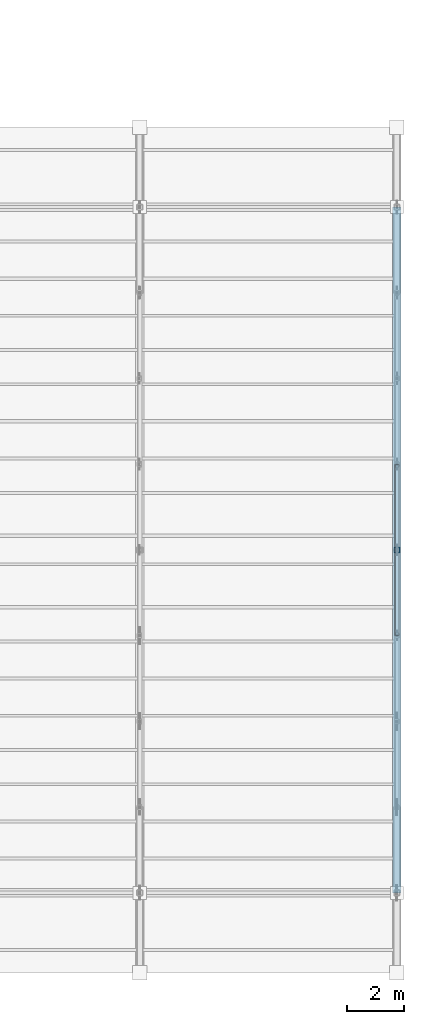
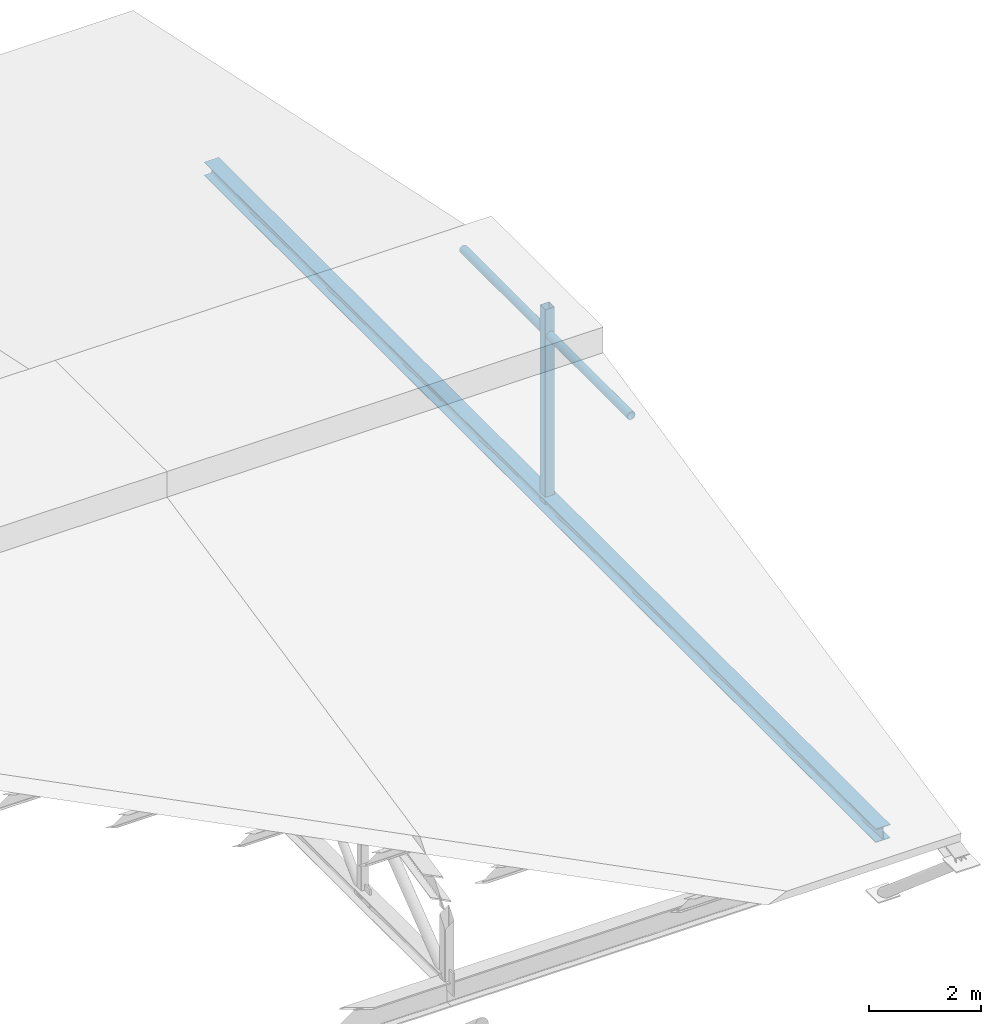
# One storey, part 28 of 43: 3 members.
"""IFC4 building model written with IfcOpenShell, lengths in metres."""

from ifc_helpers import new_model, si_unit, direction, frame, origin, origin_2d, place, context, subcontext, project, spatial, hollow_rectangle, hollow_circle, i_section, extrude, material, material_profile, profile_set, type_object, element, save


model = new_model("IFC4")

# Units and contexts
model_context = context("Model", 3, precision=1e-05, world=origin(), true_north=direction((0.0, 1.0)))
body_context = subcontext(model_context, "Body", "Model", "MODEL_VIEW")
ifc_project = project(units=[si_unit("LENGTHUNIT", "METRE"), si_unit("AREAUNIT", "SQUARE_METRE"), si_unit("VOLUMEUNIT", "CUBIC_METRE"), si_unit("PLANEANGLEUNIT", "RADIAN"), si_unit("MASSUNIT", "GRAM", prefix="KILO")], contexts=[model_context])

# Site, building, storey
site_placement = place(None, origin())
site = spatial("IfcSite", under=ifc_project, at=site_placement, CompositionType="ELEMENT")
building_placement = place(site_placement, origin())
building = spatial("IfcBuilding", under=site, at=building_placement, Name="Serraforn Aerial Cableway Station", CompositionType="ELEMENT")
storey_placement = place(building_placement, frame((0.0, 0.0, 18.300048828125)))
storey = spatial("IfcBuildingStorey", under=building, at=storey_placement, Name="RF", CompositionType="ELEMENT", Elevation=18.300048828125)

# Members
ifc_material = material(Name="Steel S355J2", Category="steel")
ifc_material_profile_1 = material_profile(ifc_material, i_section(OverallWidth=0.300048828125, OverallDepth=0.300048828125, WebThickness=0.008544921875, FlangeThickness=0.013916015625, FilletRadius=0.027099609375, at=origin_2d()), Name="HEA 300")
ifc_profile_set_1 = profile_set([ifc_material_profile_1], Name="Steel S355J2")
member_type_1 = type_object("IfcMemberType", Name="MEM-BC-HEA300", PredefinedType="CHORD", material=ifc_profile_set_1)
member_1_placement = place(storey_placement, frame((90.60009765625, 18.0, -1.35009765625), z_axis=(0.0, 1.0, 0.0), x_axis=(-1.0, 0.0, 0.0)))
element("IfcMember", 1, at=member_1_placement, inside=storey, type_object=member_type_1, Name="Roof Truss TR-08 Bottom Chord", PredefinedType="CHORD", context=body_context, shape_type="SweptSolid", body=[
    extrude(i_section(OverallWidth=0.300048828125, OverallDepth=0.300048828125, WebThickness=0.008544921875, FlangeThickness=0.013916015625, FilletRadius=0.027099609375, at=origin_2d()), origin(), (0.0, 0.0, 1.0), 24.0),
])
ifc_material_profile_2 = material_profile(ifc_material, hollow_circle(Radius=0.084228515625, WallThickness=0.008056640625, at=origin_2d()), Name="CHS 168.3x8.0")
ifc_profile_set_2 = profile_set([ifc_material_profile_2], Name="Steel S355J2")
member_type_2 = type_object("IfcMemberType", Name="MEM-CL-CHS168", PredefinedType="COLLAR", material=ifc_profile_set_2)
member_2_placement = place(storey_placement, frame((90.60009765625, 27.0, 2.3076171875), z_axis=(0.0, 1.0, 0.0), x_axis=(-1.0, 0.0, 0.0)))
element("IfcMember", 2, at=member_2_placement, inside=storey, type_object=member_type_2, Name="Roof Truss TR-08 Collar Tie", PredefinedType="COLLAR", context=body_context, shape_type="SweptSolid", body=[
    extrude(hollow_circle(Radius=0.084228515625, WallThickness=0.008056640625, at=origin_2d()), origin(), (0.0, 0.0, 1.0), 6.0),
])
ifc_material_profile_3 = material_profile(ifc_material, hollow_rectangle(XDim=0.199951171875, YDim=0.199951171875, WallThickness=0.010009765625, InnerFilletRadius=0.010009765625, OuterFilletRadius=0.02001953125, at=origin_2d()), Name="SHS 200x200x10.0")
ifc_profile_set_3 = profile_set([ifc_material_profile_3], Name="Steel S355J2")
member_type_3 = type_object("IfcMemberType", Name="MEM-VP-SHS200", PredefinedType="STRUT", material=ifc_profile_set_3)
member_3_placement = place(storey_placement, frame((90.60009765625, 30.0, -1.360107421875), z_axis=(0.0, 0.0, 1.0), x_axis=(1.0, 0.0, 0.0)))
element("IfcMember", 3, at=member_3_placement, inside=storey, type_object=member_type_3, Name="Roof Truss TR-08 Vertical Post 5", PredefinedType="STRUT", context=body_context, shape_type="SweptSolid", body=[
    extrude(hollow_rectangle(XDim=0.199951171875, YDim=0.199951171875, WallThickness=0.010009765625, InnerFilletRadius=0.010009765625, OuterFilletRadius=0.02001953125, at=origin_2d()), origin(), (0.0, 0.0, 1.0), 4.24609375),
])

save(model, "model.ifc")
